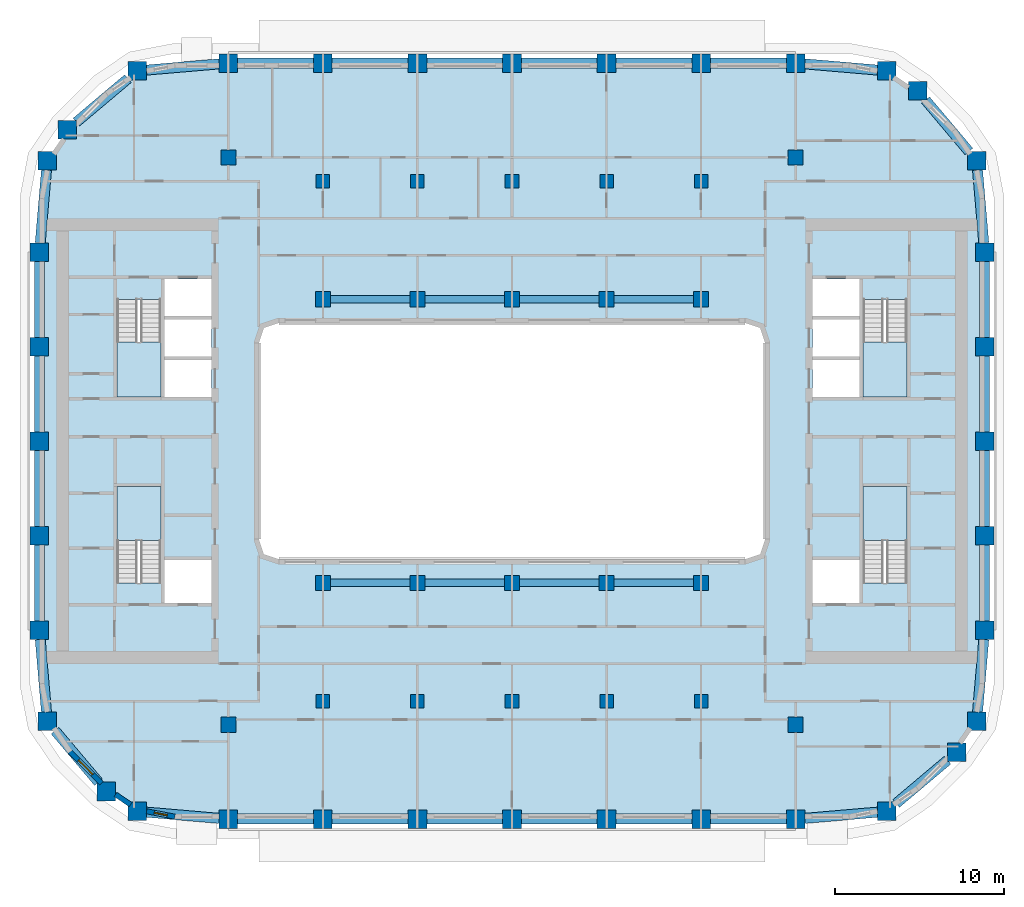
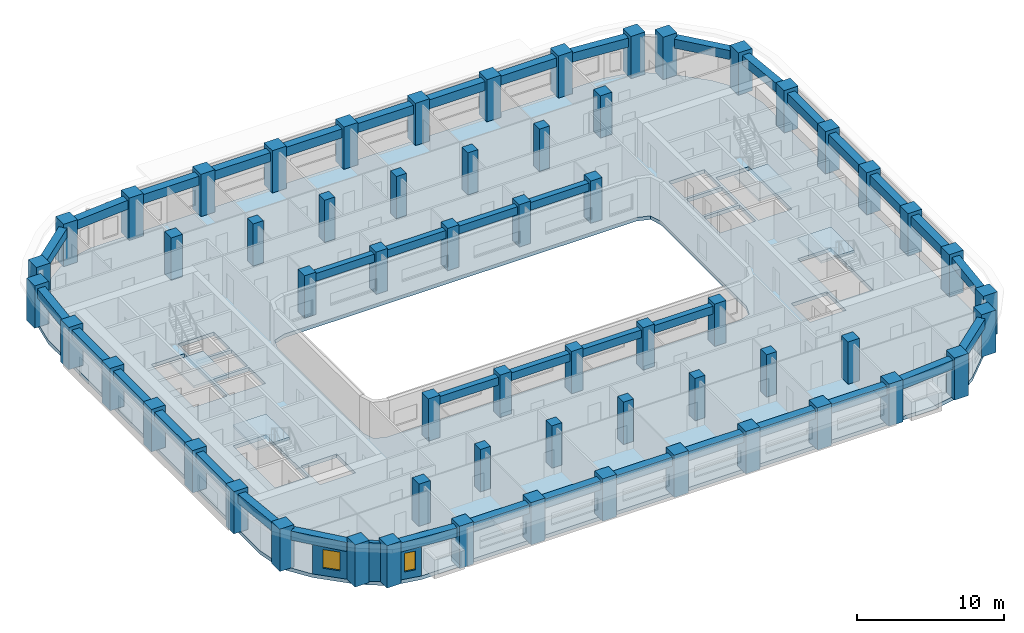
# One storey, part 1 of 22: 60 columns, 40 beams, 5 slabs, 3 walls, 2 windows, 2 openings, 4 elements without a shape of their own.
"""IFC4 building model written with IfcOpenShell, lengths in metres."""

from ifc_helpers import new_model, si_unit, direction, frame, frame_2d, origin, origin_2d, place, context, subcontext, project, spatial, polyline, rectangle, outline, extrude, material, layer, layer_set, material_profile, profile_set, type_object, element, fill, aggregate, save


model = new_model("IFC4")

# Units and contexts
model_context = context("Model", 3, precision=1e-05, world=origin(), true_north=direction((0.0, 1.0)))
body_context = subcontext(model_context, "Body", "Model", "MODEL_VIEW")
ifc_project = project(units=[si_unit("LENGTHUNIT", "METRE"), si_unit("AREAUNIT", "SQUARE_METRE"), si_unit("VOLUMEUNIT", "CUBIC_METRE"), si_unit("PLANEANGLEUNIT", "RADIAN"), si_unit("MASSUNIT", "GRAM", prefix="KILO")], contexts=[model_context])

# Site, building, storey
site_placement = place(None, origin())
site = spatial("IfcSite", under=ifc_project, at=site_placement, CompositionType="ELEMENT")
building_placement = place(site_placement, origin())
building = spatial("IfcBuilding", under=site, at=building_placement, Name="Kiln Ring Residences", CompositionType="ELEMENT")
storey_placement = place(building_placement, frame((0.0, 0.0, 150.10009765625)))
storey = spatial("IfcBuildingStorey", under=building, at=storey_placement, Name="L38", CompositionType="ELEMENT", Elevation=150.10009765625)

# Columns
ifc_material_1 = material(Name="Concrete C70/85", Category="concrete")
ifc_material_profile_1 = material_profile(ifc_material_1, rectangle(XDim=0.800048828125, YDim=0.800048828125, at=origin_2d()), Name="RC800x800")
ifc_profile_set_1 = profile_set([ifc_material_profile_1], Name="Concrete C70/85")
column_type_1 = type_object("IfcColumnType", Name="Corridor column RC800x800 C70/85", PredefinedType="COLUMN", material=ifc_profile_set_1)
for number, where, z_axis, x_axis, name in (
    (1, (-11.199951171875, 15.39990234375, 0.0), (0.0, 0.0, 1.0), (1.0, 0.0, 0.0), "Corridor column L38 1"),
    (2, (-5.60009765625, 15.39990234375, 0.0), (0.0, 0.0, 1.0), (1.0, 0.0, 0.0), "Corridor column L38 2"),
    (3, (0.0, 15.39990234375, 0.0), (0.0, 0.0, 1.0), (1.0, 0.0, 0.0), "Corridor column L38 3"),
    (4, (5.60009765625, 15.39990234375, 0.0), (0.0, 0.0, 1.0), (1.0, 0.0, 0.0), "Corridor column L38 4"),
    (5, (11.199951171875, 15.39990234375, 0.0), (0.0, 0.0, 1.0), (1.0, 0.0, 0.0), "Corridor column L38 5"),
    (6, (-11.199951171875, -15.39990234375, 0.0), (0.0, 0.0, 1.0), (1.0, 0.0, 0.0), "Corridor column L38 6"),
    (7, (-5.60009765625, -15.39990234375, 0.0), (0.0, 0.0, 1.0), (1.0, 0.0, 0.0), "Corridor column L38 7"),
    (8, (0.0, -15.39990234375, 0.0), (0.0, 0.0, 1.0), (1.0, 0.0, 0.0), "Corridor column L38 8"),
    (9, (5.60009765625, -15.39990234375, 0.0), (0.0, 0.0, 1.0), (1.0, 0.0, 0.0), "Corridor column L38 9"),
    (10, (11.199951171875, -15.39990234375, 0.0), (0.0, 0.0, 1.0), (1.0, 0.0, 0.0), "Corridor column L38 10"),
):
    element("IfcColumn", number, at=place(storey_placement, frame(where, z_axis=z_axis, x_axis=x_axis)), inside=storey, type_object=column_type_1, Name=name, PredefinedType="COLUMN", context=body_context, shape_type="SweptSolid", body=[
        extrude(rectangle(XDim=0.800048828125, YDim=0.800048828125, at=origin_2d()), origin(), (0.0, 0.0, 1.0), 3.5),
    ])
ifc_material_2 = material(Name="Concrete C70/85", Category="concrete")
ifc_material_profile_2 = material_profile(ifc_material_2, rectangle(XDim=1.10009765625, YDim=1.10009765625, at=origin_2d()), Name="RC1100x1100")
ifc_profile_set_2 = profile_set([ifc_material_profile_2], Name="Concrete C70/85")
column_type_2 = type_object("IfcColumnType", Name="Perimeter column RC1100x1100 C70/85", PredefinedType="COLUMN", material=ifc_profile_set_2)
for number, where, z_axis, x_axis, name in (
    (11, (-22.208740234375, -21.93798828125, 0.0), (0.0, 0.0, 1.0), (1.0, 0.0, 0.0), "Perimeter column L38 1"),
    (12, (-16.800048828125, -22.39990234375, 0.0), (0.0, 0.0, 1.0), (1.0, 0.0, 0.0), "Perimeter column L38 2"),
    (13, (-11.199951171875, -22.39990234375, 0.0), (0.0, 0.0, 1.0), (1.0, 0.0, 0.0), "Perimeter column L38 3"),
    (14, (-5.60009765625, -22.39990234375, 0.0), (0.0, 0.0, 1.0), (1.0, 0.0, 0.0), "Perimeter column L38 4"),
    (15, (0.0, -22.39990234375, 0.0), (0.0, 0.0, 1.0), (1.0, 0.0, 0.0), "Perimeter column L38 5"),
    (16, (5.60009765625, -22.39990234375, 0.0), (0.0, 0.0, 1.0), (1.0, 0.0, 0.0), "Perimeter column L38 6"),
    (17, (11.199951171875, -22.39990234375, 0.0), (0.0, 0.0, 1.0), (1.0, 0.0, 0.0), "Perimeter column L38 7"),
    (18, (16.800048828125, -22.39990234375, 0.0), (0.0, 0.0, 1.0), (1.0, 0.0, 0.0), "Perimeter column L38 8"),
    (19, (22.208740234375, -21.93798828125, 0.0), (0.0, 0.0, 1.0), (1.0, 0.0, 0.0), "Perimeter column L38 9"),
    (20, (26.35986328125, -18.440185546875, 0.0), (0.0, 0.0, 1.0), (1.0, 0.0, 0.0), "Perimeter column L38 10"),
    (21, (27.5380859375, -16.608642578125, 0.0), (0.0, 0.0, 1.0), (1.0, 0.0, 0.0), "Perimeter column L38 11"),
    (22, (28.0, -11.199951171875, 0.0), (0.0, 0.0, 1.0), (1.0, 0.0, 0.0), "Perimeter column L38 12"),
    (23, (28.0, -5.60009765625, 0.0), (0.0, 0.0, 1.0), (1.0, 0.0, 0.0), "Perimeter column L38 13"),
    (24, (28.0, 0.0, 0.0), (0.0, 0.0, 1.0), (1.0, 0.0, 0.0), "Perimeter column L38 14"),
    (25, (28.0, 5.60009765625, 0.0), (0.0, 0.0, 1.0), (1.0, 0.0, 0.0), "Perimeter column L38 15"),
    (26, (28.0, 11.199951171875, 0.0), (0.0, 0.0, 1.0), (1.0, 0.0, 0.0), "Perimeter column L38 16"),
    (27, (27.5380859375, 16.608642578125, 0.0), (0.0, 0.0, 1.0), (1.0, 0.0, 0.0), "Perimeter column L38 17"),
    (28, (24.040283203125, 20.759765625, 0.0), (0.0, 0.0, 1.0), (1.0, 0.0, 0.0), "Perimeter column L38 18"),
    (29, (22.208740234375, 21.93798828125, 0.0), (0.0, 0.0, 1.0), (1.0, 0.0, 0.0), "Perimeter column L38 19"),
    (30, (16.800048828125, 22.39990234375, 0.0), (0.0, 0.0, 1.0), (1.0, 0.0, 0.0), "Perimeter column L38 20"),
    (31, (11.199951171875, 22.39990234375, 0.0), (0.0, 0.0, 1.0), (1.0, 0.0, 0.0), "Perimeter column L38 21"),
    (32, (5.60009765625, 22.39990234375, 0.0), (0.0, 0.0, 1.0), (1.0, 0.0, 0.0), "Perimeter column L38 22"),
    (33, (0.0, 22.39990234375, 0.0), (0.0, 0.0, 1.0), (1.0, 0.0, 0.0), "Perimeter column L38 23"),
    (34, (-5.60009765625, 22.39990234375, 0.0), (0.0, 0.0, 1.0), (1.0, 0.0, 0.0), "Perimeter column L38 24"),
    (35, (-11.199951171875, 22.39990234375, 0.0), (0.0, 0.0, 1.0), (1.0, 0.0, 0.0), "Perimeter column L38 25"),
    (36, (-16.800048828125, 22.39990234375, 0.0), (0.0, 0.0, 1.0), (1.0, 0.0, 0.0), "Perimeter column L38 26"),
    (37, (-22.208740234375, 21.93798828125, 0.0), (0.0, 0.0, 1.0), (1.0, 0.0, 0.0), "Perimeter column L38 27"),
    (38, (-26.35986328125, 18.440185546875, 0.0), (0.0, 0.0, 1.0), (1.0, 0.0, 0.0), "Perimeter column L38 28"),
    (39, (-27.5380859375, 16.608642578125, 0.0), (0.0, 0.0, 1.0), (1.0, 0.0, 0.0), "Perimeter column L38 29"),
    (40, (-28.0, 11.199951171875, 0.0), (0.0, 0.0, 1.0), (1.0, 0.0, 0.0), "Perimeter column L38 30"),
    (41, (-28.0, 5.60009765625, 0.0), (0.0, 0.0, 1.0), (1.0, 0.0, 0.0), "Perimeter column L38 31"),
    (42, (-28.0, 0.0, 0.0), (0.0, 0.0, 1.0), (1.0, 0.0, 0.0), "Perimeter column L38 32"),
    (43, (-28.0, -5.60009765625, 0.0), (0.0, 0.0, 1.0), (1.0, 0.0, 0.0), "Perimeter column L38 33"),
    (44, (-28.0, -11.199951171875, 0.0), (0.0, 0.0, 1.0), (1.0, 0.0, 0.0), "Perimeter column L38 34"),
    (45, (-27.5380859375, -16.608642578125, 0.0), (0.0, 0.0, 1.0), (1.0, 0.0, 0.0), "Perimeter column L38 35"),
    (46, (-24.040283203125, -20.759765625, 0.0), (0.0, 0.0, 1.0), (1.0, 0.0, 0.0), "Perimeter column L38 36"),
):
    element("IfcColumn", number, at=place(storey_placement, frame(where, z_axis=z_axis, x_axis=x_axis)), inside=storey, type_object=column_type_2, Name=name, PredefinedType="COLUMN", context=body_context, shape_type="SweptSolid", body=[
        extrude(rectangle(XDim=1.10009765625, YDim=1.10009765625, at=origin_2d()), origin(), (0.0, 0.0, 1.0), 3.5),
    ])
ifc_material_3 = material(Name="Concrete C70/85", Category="concrete")
ifc_material_profile_3 = material_profile(ifc_material_3, rectangle(XDim=0.89990234375, YDim=0.89990234375, at=origin_2d()), Name="RC900x900")
ifc_profile_set_3 = profile_set([ifc_material_profile_3], Name="Concrete C70/85")
column_type_3 = type_object("IfcColumnType", Name="Ring column RC900x900 C70/85", PredefinedType="COLUMN", material=ifc_profile_set_3)
for number, where, z_axis, x_axis, name in (
    (47, (-16.800048828125, -16.800048828125, 0.0), (0.0, 0.0, 1.0), (1.0, 0.0, 0.0), "Ring column L38 1"),
    (48, (-16.800048828125, 16.800048828125, 0.0), (0.0, 0.0, 1.0), (1.0, 0.0, 0.0), "Ring column L38 2"),
    (49, (-11.199951171875, -8.39990234375, 0.0), (0.0, 0.0, 1.0), (1.0, 0.0, 0.0), "Ring column L38 3"),
    (50, (-11.199951171875, 8.39990234375, 0.0), (0.0, 0.0, 1.0), (1.0, 0.0, 0.0), "Ring column L38 4"),
    (51, (-5.60009765625, -8.39990234375, 0.0), (0.0, 0.0, 1.0), (1.0, 0.0, 0.0), "Ring column L38 5"),
    (52, (-5.60009765625, 8.39990234375, 0.0), (0.0, 0.0, 1.0), (1.0, 0.0, 0.0), "Ring column L38 6"),
    (53, (0.0, -8.39990234375, 0.0), (0.0, 0.0, 1.0), (1.0, 0.0, 0.0), "Ring column L38 7"),
    (54, (0.0, 8.39990234375, 0.0), (0.0, 0.0, 1.0), (1.0, 0.0, 0.0), "Ring column L38 8"),
    (55, (5.60009765625, -8.39990234375, 0.0), (0.0, 0.0, 1.0), (1.0, 0.0, 0.0), "Ring column L38 9"),
    (56, (5.60009765625, 8.39990234375, 0.0), (0.0, 0.0, 1.0), (1.0, 0.0, 0.0), "Ring column L38 10"),
    (57, (11.199951171875, -8.39990234375, 0.0), (0.0, 0.0, 1.0), (1.0, 0.0, 0.0), "Ring column L38 11"),
    (58, (11.199951171875, 8.39990234375, 0.0), (0.0, 0.0, 1.0), (1.0, 0.0, 0.0), "Ring column L38 12"),
    (59, (16.800048828125, -16.800048828125, 0.0), (0.0, 0.0, 1.0), (1.0, 0.0, 0.0), "Ring column L38 13"),
    (60, (16.800048828125, 16.800048828125, 0.0), (0.0, 0.0, 1.0), (1.0, 0.0, 0.0), "Ring column L38 14"),
):
    element("IfcColumn", number, at=place(storey_placement, frame(where, z_axis=z_axis, x_axis=x_axis)), inside=storey, type_object=column_type_3, Name=name, PredefinedType="COLUMN", context=body_context, shape_type="SweptSolid", body=[
        extrude(rectangle(XDim=0.89990234375, YDim=0.89990234375, at=origin_2d()), origin(), (0.0, 0.0, 1.0), 3.5),
    ])

# Beams
ifc_material_4 = material(Name="Concrete C50/60", Category="concrete")
ifc_material_profile_4 = material_profile(ifc_material_4, rectangle(XDim=0.449951171875, YDim=0.64990234375, at=origin_2d()), Name="RC450x650")
ifc_profile_set_4 = profile_set([ifc_material_profile_4], Name="Concrete C50/60")
beam_type_1 = type_object("IfcBeamType", Name="Ring beam RC450x650 C50/60", PredefinedType="BEAM", material=ifc_profile_set_4)
for number, where, z_axis, x_axis, name in (
    (61, (-10.75, -8.39990234375, 2.875), (1.0, 0.0, 0.0), (0.0, 1.0, 0.0), "Ring beam L38 1"),
    (62, (-5.14990234375, -8.39990234375, 2.875), (1.0, 0.0, 0.0), (0.0, 1.0, 0.0), "Ring beam L38 2"),
    (63, (0.449951171875, -8.39990234375, 2.875), (1.0, 0.0, 0.0), (0.0, 1.0, 0.0), "Ring beam L38 3"),
    (64, (6.050048828125, -8.39990234375, 2.875), (1.0, 0.0, 0.0), (0.0, 1.0, 0.0), "Ring beam L38 4"),
    (65, (-10.75, 8.39990234375, 2.875), (1.0, 0.0, 0.0), (0.0, 1.0, 0.0), "Ring beam L38 5"),
    (66, (-5.14990234375, 8.39990234375, 2.875), (1.0, 0.0, 0.0), (0.0, 1.0, 0.0), "Ring beam L38 6"),
    (67, (0.449951171875, 8.39990234375, 2.875), (1.0, 0.0, 0.0), (0.0, 1.0, 0.0), "Ring beam L38 7"),
    (68, (6.050048828125, 8.39990234375, 2.875), (1.0, 0.0, 0.0), (0.0, 1.0, 0.0), "Ring beam L38 8"),
):
    element("IfcBeam", number, at=place(storey_placement, frame(where, z_axis=z_axis, x_axis=x_axis)), inside=storey, type_object=beam_type_1, Name=name, PredefinedType="BEAM", context=body_context, shape_type="SweptSolid", body=[
        extrude(rectangle(XDim=0.449951171875, YDim=0.64990234375, at=origin_2d()), origin(), (0.0, 0.0, 1.0), 4.699951171875),
    ])
ifc_material_5 = material(Name="Concrete C50/60", Category="concrete")
ifc_material_profile_5 = material_profile(ifc_material_5, rectangle(XDim=0.60009765625, YDim=0.75, at=origin_2d()), Name="RC600x750")
ifc_profile_set_5 = profile_set([ifc_material_profile_5], Name="Concrete C50/60")
beam_type_2 = type_object("IfcBeamType", Name="Spandrel beam RC600x750 C50/60", PredefinedType="SPANDREL", material=ifc_profile_set_5)
beam_1_placement = place(storey_placement, frame((-21.65869140625, -21.985107421875, 2.824951171875), z_axis=(0.996373912127, -0.085082473117, 0.0), x_axis=(0.085082473117, 0.996373912127, 0.0)))
element("IfcBeam", 69, at=beam_1_placement, inside=storey, type_object=beam_type_2, Name="Spandrel beam L38 1", PredefinedType="SPANDREL", context=body_context, shape_type="SweptSolid", body=[
    extrude(rectangle(XDim=0.60009765625, YDim=0.75, at=origin_2d()), origin(), (0.0, 0.0, 1.0), 4.32421875),
])
for number, where, z_axis, x_axis, name in (
    (70, (-16.25, -22.39990234375, 2.824951171875), (1.0, 0.0, 0.0), (0.0, 1.0, 0.0), "Spandrel beam L38 2"),
    (71, (-10.64990234375, -22.39990234375, 2.824951171875), (1.0, 0.0, 0.0), (0.0, 1.0, 0.0), "Spandrel beam L38 3"),
    (72, (-5.050048828125, -22.39990234375, 2.824951171875), (1.0, 0.0, 0.0), (0.0, 1.0, 0.0), "Spandrel beam L38 4"),
    (73, (0.550048828125, -22.39990234375, 2.824951171875), (1.0, 0.0, 0.0), (0.0, 1.0, 0.0), "Spandrel beam L38 5"),
    (74, (6.14990234375, -22.39990234375, 2.824951171875), (1.0, 0.0, 0.0), (0.0, 1.0, 0.0), "Spandrel beam L38 6"),
    (75, (11.75, -22.39990234375, 2.824951171875), (1.0, 0.0, 0.0), (0.0, 1.0, 0.0), "Spandrel beam L38 7"),
):
    element("IfcBeam", number, at=place(storey_placement, frame(where, z_axis=z_axis, x_axis=x_axis)), inside=storey, type_object=beam_type_2, Name=name, PredefinedType="SPANDREL", context=body_context, shape_type="SweptSolid", body=[
        extrude(rectangle(XDim=0.60009765625, YDim=0.75, at=origin_2d()), origin(), (0.0, 0.0, 1.0), 4.5),
    ])
beam_2_placement = place(storey_placement, frame((17.35009765625, -22.35302734375, 2.824951171875), z_axis=(0.996373912127, 0.085082473117, 0.0), x_axis=(-0.085082473117, 0.996373912127, 0.0)))
element("IfcBeam", 76, at=beam_2_placement, inside=storey, type_object=beam_type_2, Name="Spandrel beam L38 8", PredefinedType="SPANDREL", context=body_context, shape_type="SweptSolid", body=[
    extrude(rectangle(XDim=0.60009765625, YDim=0.75, at=origin_2d()), origin(), (0.0, 0.0, 1.0), 4.32421875),
])
beam_3_placement = place(storey_placement, frame((22.7587890625, -21.474609375, 2.824951171875), z_axis=(0.764693765756, 0.6443938583, 0.0), x_axis=(-0.6443938583, 0.764693765756, 0.0)))
element("IfcBeam", 77, at=beam_3_placement, inside=storey, type_object=beam_type_2, Name="Spandrel beam L38 9", PredefinedType="SPANDREL", context=body_context, shape_type="SweptSolid", body=[
    extrude(rectangle(XDim=0.60009765625, YDim=0.75, at=origin_2d()), origin(), (0.0, 0.0, 1.0), 3.98974609375),
])
beam_4_placement = place(storey_placement, frame((27.5849609375, -16.05859375, 2.824951171875), z_axis=(0.085138522188, 0.996369124391, 0.0), x_axis=(-0.996369124391, 0.085138522188, 0.0)))
element("IfcBeam", 78, at=beam_4_placement, inside=storey, type_object=beam_type_2, Name="Spandrel beam L38 10", PredefinedType="SPANDREL", context=body_context, shape_type="SweptSolid", body=[
    extrude(rectangle(XDim=0.60009765625, YDim=0.75, at=origin_2d()), origin(), (0.0, 0.0, 1.0), 4.32421875),
])
for number, where, z_axis, x_axis, name in (
    (79, (28.0, -10.64990234375, 2.824951171875), (0.0, 1.0, 0.0), (-1.0, 0.0, 0.0), "Spandrel beam L38 11"),
    (80, (28.0, -5.050048828125, 2.824951171875), (0.0, 1.0, 0.0), (-1.0, 0.0, 0.0), "Spandrel beam L38 12"),
    (81, (28.0, 0.550048828125, 2.824951171875), (0.0, 1.0, 0.0), (-1.0, 0.0, 0.0), "Spandrel beam L38 13"),
    (82, (28.0, 6.14990234375, 2.824951171875), (0.0, 1.0, 0.0), (-1.0, 0.0, 0.0), "Spandrel beam L38 14"),
):
    element("IfcBeam", number, at=place(storey_placement, frame(where, z_axis=z_axis, x_axis=x_axis)), inside=storey, type_object=beam_type_2, Name=name, PredefinedType="SPANDREL", context=body_context, shape_type="SweptSolid", body=[
        extrude(rectangle(XDim=0.60009765625, YDim=0.75, at=origin_2d()), origin(), (0.0, 0.0, 1.0), 4.5),
    ])
beam_5_placement = place(storey_placement, frame((27.953125, 11.75, 2.824951171875), z_axis=(-0.085138522188, 0.996369124391, 0.0), x_axis=(-0.996369124391, -0.085138522188, 0.0)))
element("IfcBeam", 83, at=beam_5_placement, inside=storey, type_object=beam_type_2, Name="Spandrel beam L38 15", PredefinedType="SPANDREL", context=body_context, shape_type="SweptSolid", body=[
    extrude(rectangle(XDim=0.60009765625, YDim=0.75, at=origin_2d()), origin(), (0.0, 0.0, 1.0), 4.32421875),
])
beam_6_placement = place(storey_placement, frame((27.07470703125, 17.15869140625, 2.824951171875), z_axis=(-0.6443938583, 0.764693765756, 0.0), x_axis=(-0.764693765756, -0.6443938583, 0.0)))
element("IfcBeam", 84, at=beam_6_placement, inside=storey, type_object=beam_type_2, Name="Spandrel beam L38 16", PredefinedType="SPANDREL", context=body_context, shape_type="SweptSolid", body=[
    extrude(rectangle(XDim=0.60009765625, YDim=0.75, at=origin_2d()), origin(), (0.0, 0.0, 1.0), 3.98974609375),
])
beam_7_placement = place(storey_placement, frame((21.65869140625, 21.985107421875, 2.824951171875), z_axis=(-0.996373912127, 0.085082473117, 0.0), x_axis=(-0.085082473117, -0.996373912127, 0.0)))
element("IfcBeam", 85, at=beam_7_placement, inside=storey, type_object=beam_type_2, Name="Spandrel beam L38 17", PredefinedType="SPANDREL", context=body_context, shape_type="SweptSolid", body=[
    extrude(rectangle(XDim=0.60009765625, YDim=0.75, at=origin_2d()), origin(), (0.0, 0.0, 1.0), 4.32421875),
])
for number, where, z_axis, x_axis, name in (
    (86, (16.25, 22.39990234375, 2.824951171875), (-1.0, 0.0, 0.0), (0.0, -1.0, 0.0), "Spandrel beam L38 18"),
    (87, (10.64990234375, 22.39990234375, 2.824951171875), (-1.0, 0.0, 0.0), (0.0, -1.0, 0.0), "Spandrel beam L38 19"),
    (88, (5.050048828125, 22.39990234375, 2.824951171875), (-1.0, 0.0, 0.0), (0.0, -1.0, 0.0), "Spandrel beam L38 20"),
    (89, (-0.550048828125, 22.39990234375, 2.824951171875), (-1.0, 0.0, 0.0), (0.0, -1.0, 0.0), "Spandrel beam L38 21"),
    (90, (-6.14990234375, 22.39990234375, 2.824951171875), (-1.0, 0.0, 0.0), (0.0, -1.0, 0.0), "Spandrel beam L38 22"),
    (91, (-11.75, 22.39990234375, 2.824951171875), (-1.0, 0.0, 0.0), (0.0, -1.0, 0.0), "Spandrel beam L38 23"),
):
    element("IfcBeam", number, at=place(storey_placement, frame(where, z_axis=z_axis, x_axis=x_axis)), inside=storey, type_object=beam_type_2, Name=name, PredefinedType="SPANDREL", context=body_context, shape_type="SweptSolid", body=[
        extrude(rectangle(XDim=0.60009765625, YDim=0.75, at=origin_2d()), origin(), (0.0, 0.0, 1.0), 4.5),
    ])
beam_8_placement = place(storey_placement, frame((-17.35009765625, 22.35302734375, 2.824951171875), z_axis=(-0.996373912127, -0.085082473117, 0.0), x_axis=(0.085082473117, -0.996373912127, 0.0)))
element("IfcBeam", 92, at=beam_8_placement, inside=storey, type_object=beam_type_2, Name="Spandrel beam L38 24", PredefinedType="SPANDREL", context=body_context, shape_type="SweptSolid", body=[
    extrude(rectangle(XDim=0.60009765625, YDim=0.75, at=origin_2d()), origin(), (0.0, 0.0, 1.0), 4.32421875),
])
beam_9_placement = place(storey_placement, frame((-22.7587890625, 21.474609375, 2.824951171875), z_axis=(-0.764693765756, -0.6443938583, 0.0), x_axis=(0.6443938583, -0.764693765756, 0.0)))
element("IfcBeam", 93, at=beam_9_placement, inside=storey, type_object=beam_type_2, Name="Spandrel beam L38 25", PredefinedType="SPANDREL", context=body_context, shape_type="SweptSolid", body=[
    extrude(rectangle(XDim=0.60009765625, YDim=0.75, at=origin_2d()), origin(), (0.0, 0.0, 1.0), 3.98974609375),
])
beam_10_placement = place(storey_placement, frame((-27.5849609375, 16.05859375, 2.824951171875), z_axis=(-0.085138522188, -0.996369124391, 0.0), x_axis=(0.996369124391, -0.085138522188, 0.0)))
element("IfcBeam", 94, at=beam_10_placement, inside=storey, type_object=beam_type_2, Name="Spandrel beam L38 26", PredefinedType="SPANDREL", context=body_context, shape_type="SweptSolid", body=[
    extrude(rectangle(XDim=0.60009765625, YDim=0.75, at=origin_2d()), origin(), (0.0, 0.0, 1.0), 4.32421875),
])
for number, where, z_axis, x_axis, name in (
    (95, (-28.0, 10.64990234375, 2.824951171875), (0.0, -1.0, 0.0), (1.0, 0.0, 0.0), "Spandrel beam L38 27"),
    (96, (-28.0, 5.050048828125, 2.824951171875), (0.0, -1.0, 0.0), (1.0, 0.0, 0.0), "Spandrel beam L38 28"),
    (97, (-28.0, -0.550048828125, 2.824951171875), (0.0, -1.0, 0.0), (1.0, 0.0, 0.0), "Spandrel beam L38 29"),
    (98, (-28.0, -6.14990234375, 2.824951171875), (0.0, -1.0, 0.0), (1.0, 0.0, 0.0), "Spandrel beam L38 30"),
):
    element("IfcBeam", number, at=place(storey_placement, frame(where, z_axis=z_axis, x_axis=x_axis)), inside=storey, type_object=beam_type_2, Name=name, PredefinedType="SPANDREL", context=body_context, shape_type="SweptSolid", body=[
        extrude(rectangle(XDim=0.60009765625, YDim=0.75, at=origin_2d()), origin(), (0.0, 0.0, 1.0), 4.5),
    ])
beam_11_placement = place(storey_placement, frame((-27.953125, -11.75, 2.824951171875), z_axis=(0.085138522188, -0.996369124391, 0.0), x_axis=(0.996369124391, 0.085138522188, 0.0)))
element("IfcBeam", 99, at=beam_11_placement, inside=storey, type_object=beam_type_2, Name="Spandrel beam L38 31", PredefinedType="SPANDREL", context=body_context, shape_type="SweptSolid", body=[
    extrude(rectangle(XDim=0.60009765625, YDim=0.75, at=origin_2d()), origin(), (0.0, 0.0, 1.0), 4.32421875),
])
beam_12_placement = place(storey_placement, frame((-27.07470703125, -17.15869140625, 2.824951171875), z_axis=(0.6443938583, -0.764693765756, 0.0), x_axis=(0.764693765756, 0.6443938583, 0.0)))
element("IfcBeam", 100, at=beam_12_placement, inside=storey, type_object=beam_type_2, Name="Spandrel beam L38 32", PredefinedType="SPANDREL", context=body_context, shape_type="SweptSolid", body=[
    extrude(rectangle(XDim=0.60009765625, YDim=0.75, at=origin_2d()), origin(), (0.0, 0.0, 1.0), 3.98974609375),
])

# Stair, slab
ifc_material_6 = material(Name="Concrete C40/50", Category="concrete")
stair_type = type_object("IfcStairType", Name="CORE-STAIR", PredefinedType="HALF_TURN_STAIR", material=ifc_material_6)
placement_1 = place(storey_placement, origin())
stair_1 = element("IfcStair", 101, at=placement_1, inside=storey, type_object=stair_type, Name="L38 stair W-STN", PredefinedType="HALF_TURN_STAIR")
ifc_material_7 = material(Name="Concrete C40/50", Category="concrete")
ifc_layer_1 = layer(ifc_material_7, 0.199951171875)
ifc_layer_set_1 = layer_set([ifc_layer_1], Name="CORE-STAIR-LANDING")
slab_type_1 = type_object("IfcSlabType", Name="CORE-STAIR-LANDING", PredefinedType="LANDING", material=ifc_layer_set_1)
placement_2 = place(storey_placement, frame((0.0, 0.0, 1.5498046875)))
slab_1 = element("IfcSlab", 102, at=placement_2, type_object=slab_type_1, Name="W-STN landing 1", PredefinedType="LANDING", context=body_context, shape_type="SweptSolid", body=[
    extrude(outline(polyline([(-23.39990234375, 5.8798828125), (-23.39990234375, 2.60009765625), (-20.800048828125, 2.60009765625), (-20.800048828125, 5.8798828125), (-23.39990234375, 5.8798828125)])), origin(), (0.0, 0.0, 1.0), 0.2001953125),
])
aggregate(stair_1, [slab_1])

stair_2 = element("IfcStair", 103, at=placement_1, inside=storey, type_object=stair_type, Name="L38 stair W-STS", PredefinedType="HALF_TURN_STAIR")
slab_2 = element("IfcSlab", 104, at=placement_2, type_object=slab_type_1, Name="W-STS landing 1", PredefinedType="LANDING", context=body_context, shape_type="SweptSolid", body=[
    extrude(outline(polyline([(-20.800048828125, -5.8798828125), (-20.800048828125, -2.699951171875), (-23.39990234375, -2.699951171875), (-23.39990234375, -5.8798828125), (-20.800048828125, -5.8798828125)])), origin(), (0.0, 0.0, 1.0), 0.2001953125),
])
aggregate(stair_2, [slab_2])

stair_3 = element("IfcStair", 105, at=placement_1, inside=storey, type_object=stair_type, Name="L38 stair E-STN", PredefinedType="HALF_TURN_STAIR")
slab_3 = element("IfcSlab", 106, at=placement_2, type_object=slab_type_1, Name="E-STN landing 1", PredefinedType="LANDING", context=body_context, shape_type="SweptSolid", body=[
    extrude(outline(polyline([(20.800048828125, 5.8798828125), (20.800048828125, 2.60009765625), (23.39990234375, 2.60009765625), (23.39990234375, 5.8798828125), (20.800048828125, 5.8798828125)])), origin(), (0.0, 0.0, 1.0), 0.2001953125),
])
aggregate(stair_3, [slab_3])

stair_4 = element("IfcStair", 107, at=placement_1, inside=storey, type_object=stair_type, Name="L38 stair E-STS", PredefinedType="HALF_TURN_STAIR")
slab_4 = element("IfcSlab", 108, at=placement_2, type_object=slab_type_1, Name="E-STS landing 1", PredefinedType="LANDING", context=body_context, shape_type="SweptSolid", body=[
    extrude(outline(polyline([(23.39990234375, -5.8798828125), (23.39990234375, -2.699951171875), (20.800048828125, -2.699951171875), (20.800048828125, -5.8798828125), (23.39990234375, -5.8798828125)])), origin(), (0.0, 0.0, 1.0), 0.2001953125),
])
aggregate(stair_4, [slab_4])

# Slab
ifc_material_8 = material(Name="Concrete C40/50", Category="concrete")
ifc_layer_2 = layer(ifc_material_8, 0.300048828125)
ifc_layer_set_2 = layer_set([ifc_layer_2], Name="Floor slab 300")
slab_type_2 = type_object("IfcSlabType", Name="Floor slab 300", PredefinedType="FLOOR", material=ifc_layer_set_2)
slab_5_placement = place(storey_placement, frame((0.0, 0.0, -0.300048828125)))
element("IfcSlab", 109, at=slab_5_placement, inside=storey, type_object=slab_type_2, Name="Floor slab L38 1", PredefinedType="FLOOR", context=body_context, shape_type="SweptSolid", body=[
    extrude(outline(polyline([(-26.302978515625, -18.4970703125), (-24.09716796875, -20.702880859375), (-22.224365234375, -21.975830078125), (-20.0, -22.39990234375), (20.0, -22.39990234375), (22.224365234375, -21.975830078125), (24.09716796875, -20.702880859375), (26.302978515625, -18.4970703125), (27.57568359375, -16.624267578125), (28.0, -14.39990234375), (28.0, 14.39990234375), (27.57568359375, 16.624267578125), (26.302978515625, 18.4970703125), (24.09716796875, 20.702880859375), (22.224365234375, 21.975830078125), (20.0, 22.39990234375), (-20.0, 22.39990234375), (-22.224365234375, 21.975830078125), (-24.09716796875, 20.702880859375), (-26.302978515625, 18.4970703125), (-27.57568359375, 16.624267578125), (-28.0, 14.39990234375), (-28.0, -14.39990234375), (-27.57568359375, -16.624267578125), (-26.302978515625, -18.4970703125)]), holes=[polyline([(-14.699951171875, -6.699951171875), (-15.0, -5.800048828125), (-15.0, 5.800048828125), (-14.699951171875, 6.699951171875), (-13.800048828125, 7.0), (13.800048828125, 7.0), (14.699951171875, 6.699951171875), (15.0, 5.800048828125), (15.0, -5.800048828125), (14.699951171875, -6.699951171875), (13.800048828125, -7.0), (-13.800048828125, -7.0), (-14.699951171875, -6.699951171875)]), polyline([(20.800048828125, -8.39794921875), (20.800048828125, -2.699951171875), (23.39990234375, -2.699951171875), (23.39990234375, -8.39794921875), (20.800048828125, -8.39794921875)]), polyline([(23.39990234375, 2.60009765625), (20.800048828125, 2.60009765625), (20.800048828125, 8.39794921875), (23.39990234375, 8.39794921875), (23.39990234375, 2.60009765625)]), polyline([(17.800048828125, 2.60009765625), (17.800048828125, 4.800048828125), (20.60009765625, 4.800048828125), (20.60009765625, 2.60009765625), (17.800048828125, 2.60009765625)]), polyline([(17.800048828125, 5.0), (17.800048828125, 7.199951171875), (20.60009765625, 7.199951171875), (20.60009765625, 5.0), (17.800048828125, 5.0)]), polyline([(17.800048828125, 7.39990234375), (17.800048828125, 9.60009765625), (20.60009765625, 9.60009765625), (20.60009765625, 7.39990234375), (17.800048828125, 7.39990234375)]), polyline([(20.60009765625, -9.60009765625), (17.800048828125, -9.60009765625), (17.800048828125, -7.050048828125), (20.60009765625, -7.050048828125), (20.60009765625, -9.60009765625)]), polyline([(-17.800048828125, -7.050048828125), (-17.800048828125, -9.60009765625), (-20.60009765625, -9.60009765625), (-20.60009765625, -7.050048828125), (-17.800048828125, -7.050048828125)]), polyline([(-17.800048828125, 2.60009765625), (-20.60009765625, 2.60009765625), (-20.60009765625, 4.800048828125), (-17.800048828125, 4.800048828125), (-17.800048828125, 2.60009765625)]), polyline([(-17.800048828125, 5.0), (-20.60009765625, 5.0), (-20.60009765625, 7.199951171875), (-17.800048828125, 7.199951171875), (-17.800048828125, 5.0)]), polyline([(-17.800048828125, 7.39990234375), (-20.60009765625, 7.39990234375), (-20.60009765625, 9.60009765625), (-17.800048828125, 9.60009765625), (-17.800048828125, 7.39990234375)]), polyline([(-20.800048828125, -8.39794921875), (-23.39990234375, -8.39794921875), (-23.39990234375, -2.699951171875), (-20.800048828125, -2.699951171875), (-20.800048828125, -8.39794921875)]), polyline([(-20.800048828125, 8.39794921875), (-20.800048828125, 2.60009765625), (-23.39990234375, 2.60009765625), (-23.39990234375, 8.39794921875), (-20.800048828125, 8.39794921875)])]), origin(), (0.0, 0.0, 1.0), 0.300048828125),
])

# Wall, opening, window
ifc_material_9 = material(Name="Brick masonry, dark clay brick", Category="masonry")
ifc_layer_3 = layer(ifc_material_9, 0.300048828125)
ifc_layer_set_3 = layer_set([ifc_layer_3], Name="EW-300 BRICK WALL")
wall_type = type_object("IfcWallType", Name="EW-300 BRICK WALL", PredefinedType="SOLIDWALL", material=ifc_layer_set_3)
wall_1_placement = place(storey_placement, frame((-26.19677734375, -18.390869140625, 0.0), z_axis=(0.0, 0.0, 1.0), x_axis=(0.707060717099, -0.707152842274, 0.0)))
wall_1 = element("IfcWall", 110, at=wall_1_placement, inside=storey, type_object=wall_type, Name="Facade wall L38 1", PredefinedType="SOLIDWALL", context=body_context, shape_type="SweptSolid", body=[
    extrude(rectangle(XDim=2.650146484375, YDim=0.300048828125, at=frame_2d((1.3251953125, 0.0))), origin(), (0.0, 0.0, 1.0), 2.449951171875),
])
opening_1_placement = place(wall_1_placement, frame((0.72509765625, 0.0, 0.60009765625)))
opening_1 = element("IfcOpeningElement", 111, at=opening_1_placement, cuts=wall_1, Name="Opening W1", PredefinedType="OPENING", context=body_context, shape_type="SweptSolid", body=[
    extrude(rectangle(XDim=1.199951171875, YDim=1.550048828125, at=frame_2d((0.60009765625, 0.77490234375))), frame((0.0, 0.159912109375, 0.0), z_axis=(0.0, -1.0, 0.0), x_axis=(1.0, 0.0, 0.0)), (0.0, 0.0, 1.0), 0.320068359375),
])
ifc_material_10 = material(Name="Aluminium frame with double glazing", Category="aluminium")
window_type_1 = type_object("IfcWindowType", Name="WINDOW 1200 x 1550", PartitioningType="SINGLE_PANEL", PredefinedType="WINDOW", material=ifc_material_10)
window_1_placement = place(opening_1_placement, origin())
window_1 = element("IfcWindow", 112, at=window_1_placement, inside=storey, type_object=window_type_1, Name="Window L38 1", OverallHeight=1.550048828125, OverallWidth=1.199951171875, PartitioningType="SINGLE_PANEL", PredefinedType="WINDOW", context=body_context, shape_type="SweptSolid", body=[
    extrude(rectangle(XDim=1.199951171875, YDim=1.550048828125, at=frame_2d((0.60009765625, 0.77490234375))), frame((0.0, 0.030029296875, 0.0), z_axis=(0.0, -1.0, 0.0), x_axis=(1.0, 0.0, 0.0)), (0.0, 0.0, 1.0), 0.06005859375),
])
fill(opening_1, window_1)

# Wall
wall_2_placement = place(storey_placement, frame((-23.492431640625, -20.932373046875, 0.0), z_axis=(0.0, 0.0, 1.0), x_axis=(0.826993959827, -0.562210806023, 0.0)))
element("IfcWall", 113, at=wall_2_placement, inside=storey, type_object=wall_type, Name="Facade wall L38 2", PredefinedType="SOLIDWALL", context=body_context, shape_type="SweptSolid", body=[
    extrude(rectangle(XDim=1.076904296875, YDim=0.300048828125, at=frame_2d((0.53857421875, 0.0))), origin(), (0.0, 0.0, 1.0), 3.199951171875),
])

# Wall, opening, window
wall_3_placement = place(storey_placement, frame((-21.647705078125, -21.93310546875, 0.0), z_axis=(0.0, 0.0, 1.0), x_axis=(0.982297206936, -0.187329114784, 0.0)))
wall_3 = element("IfcWall", 114, at=wall_3_placement, inside=storey, type_object=wall_type, Name="Facade wall L38 3", PredefinedType="SOLIDWALL", context=body_context, shape_type="SweptSolid", body=[
    extrude(rectangle(XDim=1.7060546875, YDim=0.300048828125, at=frame_2d((0.85302734375, 0.0))), origin(), (0.0, 0.0, 1.0), 2.449951171875),
])
opening_2_placement = place(wall_3_placement, frame((0.453125, 0.0, 0.60009765625)))
opening_2 = element("IfcOpeningElement", 115, at=opening_2_placement, cuts=wall_3, Name="Opening W5", PredefinedType="OPENING", context=body_context, shape_type="SweptSolid", body=[
    extrude(rectangle(XDim=0.800048828125, YDim=1.550048828125, at=frame_2d((0.39990234375, 0.77490234375))), frame((0.0, 0.159912109375, 0.0), z_axis=(0.0, -1.0, 0.0), x_axis=(1.0, 0.0, 0.0)), (0.0, 0.0, 1.0), 0.320068359375),
])
ifc_material_11 = material(Name="Aluminium frame with double glazing", Category="aluminium")
window_type_2 = type_object("IfcWindowType", Name="WINDOW 800 x 1550", PartitioningType="SINGLE_PANEL", PredefinedType="WINDOW", material=ifc_material_11)
window_2_placement = place(opening_2_placement, origin())
window_2 = element("IfcWindow", 116, at=window_2_placement, inside=storey, type_object=window_type_2, Name="Window L38 2", OverallHeight=1.550048828125, OverallWidth=0.800048828125, PartitioningType="SINGLE_PANEL", PredefinedType="WINDOW", context=body_context, shape_type="SweptSolid", body=[
    extrude(rectangle(XDim=0.800048828125, YDim=1.550048828125, at=frame_2d((0.39990234375, 0.77490234375))), frame((0.0, 0.030029296875, 0.0), z_axis=(0.0, -1.0, 0.0), x_axis=(1.0, 0.0, 0.0)), (0.0, 0.0, 1.0), 0.06005859375),
])
fill(opening_2, window_2)

save(model, "model.ifc")
